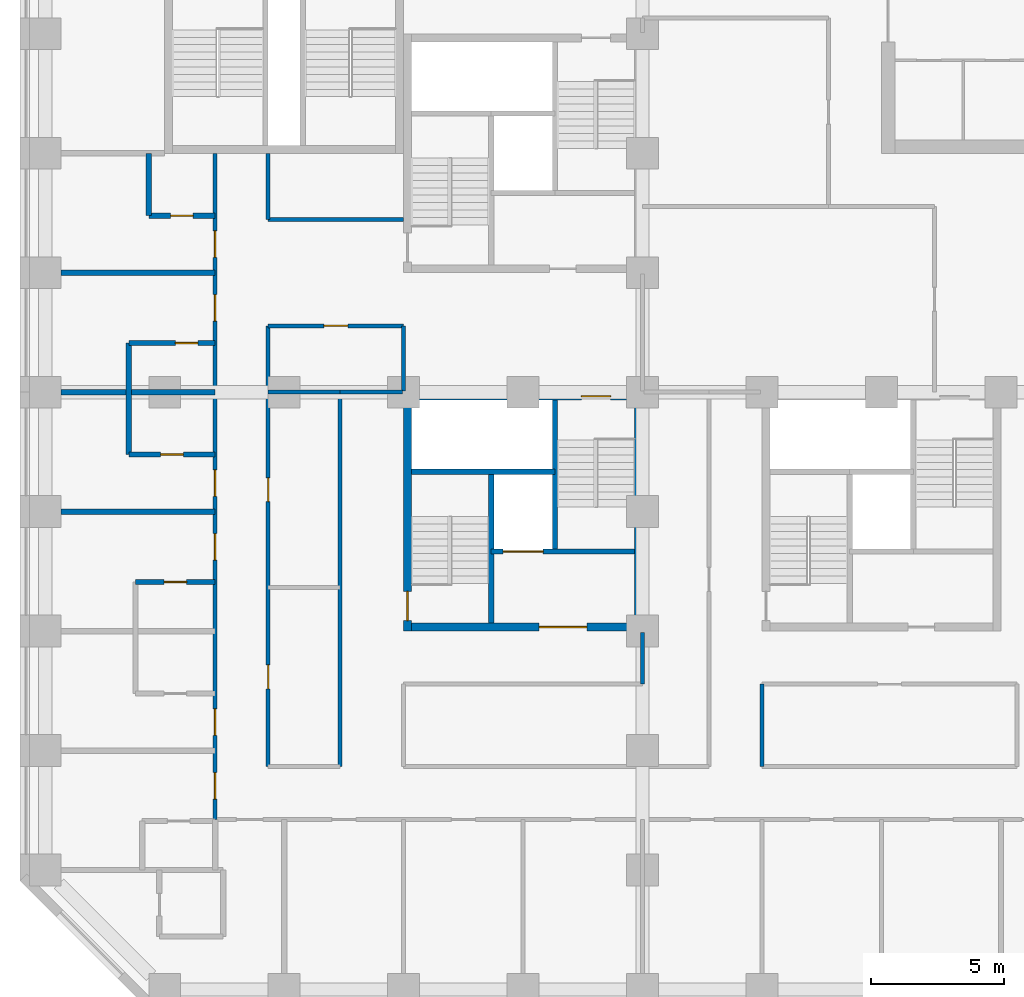
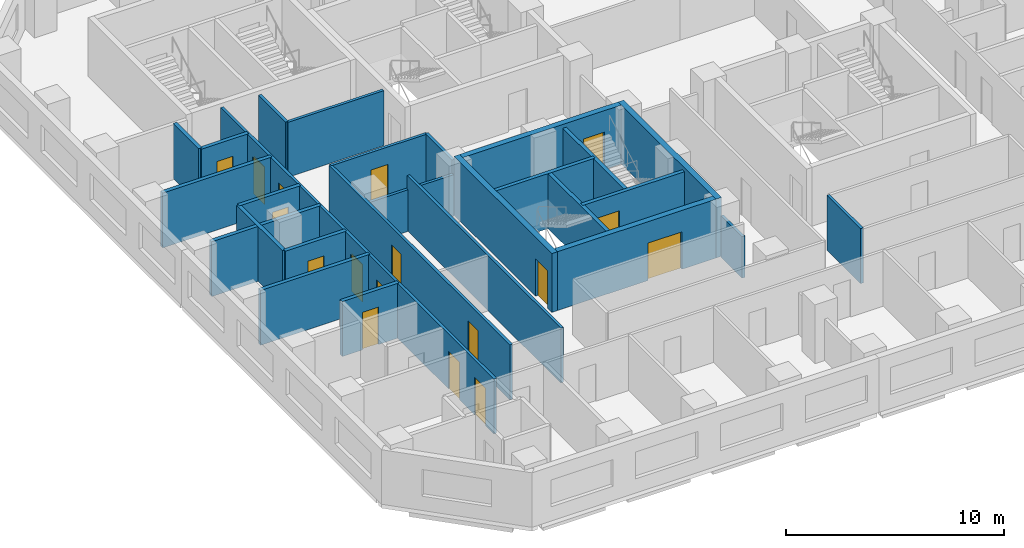
# One storey, part 4 of 14: 28 walls, 17 doors, 17 openings.
"""IFC4 building model written with IfcOpenShell, lengths in metres."""

from ifc_helpers import new_model, si_unit, direction, frame, frame_2d, origin, place, context, subcontext, project, spatial, rectangle, extrude, material, layer, layer_set, type_object, element, fill, save


model = new_model("IFC4")

# Units and contexts
model_context = context("Model", 3, precision=1e-05, world=origin(), true_north=direction((0.0, 1.0)))
body_context = subcontext(model_context, "Body", "Model", "MODEL_VIEW")
ifc_project = project(units=[si_unit("LENGTHUNIT", "METRE"), si_unit("AREAUNIT", "SQUARE_METRE"), si_unit("VOLUMEUNIT", "CUBIC_METRE"), si_unit("PLANEANGLEUNIT", "RADIAN"), si_unit("MASSUNIT", "GRAM", prefix="KILO")], contexts=[model_context])

# Site, building, storey
site_placement = place(None, origin())
site = spatial("IfcSite", under=ifc_project, at=site_placement, CompositionType="ELEMENT")
building_placement = place(site_placement, origin())
building = spatial("IfcBuilding", under=site, at=building_placement, Name="Quoin Convention Tower", CompositionType="ELEMENT")
storey_placement = place(building_placement, frame((0.0, 0.0, 66.0)))
storey = spatial("IfcBuildingStorey", under=building, at=storey_placement, Name="L17", CompositionType="ELEMENT", Elevation=66.0)

# Wall, opening, door
ifc_material_1 = material(Name="Concrete C50", Category="concrete")
ifc_layer_1 = layer(ifc_material_1, 0.199951171875)
ifc_layer_set_1 = layer_set([ifc_layer_1], Name="Concrete C50")
wall_type_1 = type_object("IfcWallType", Name="Core shaft wall", PredefinedType="SOLIDWALL", material=ifc_layer_set_1)
wall_1_placement = place(storey_placement, frame((30.300048828125, 34.5, 0.0), z_axis=(0.0, 0.0, 1.0), x_axis=(1.0, 0.0, 0.0)))
wall_1 = element("IfcWall", 1, at=wall_1_placement, inside=storey, type_object=wall_type_1, Name="cr-P4-L17-h3000_3300", PredefinedType="SOLIDWALL", context=body_context, shape_type="SweptSolid", body=[
    extrude(rectangle(XDim=5.39990234375, YDim=0.199951171875, at=frame_2d((2.699951171875, 0.0))), origin(), (0.0, 0.0, 1.0), 3.080078125),
])
opening_1_placement = place(wall_1_placement, frame((0.449951171875, 0.0, 0.0)))
opening_1 = element("IfcOpeningElement", 2, at=opening_1_placement, cuts=wall_1, Name="Opening LDGL1", PredefinedType="OPENING", context=body_context, shape_type="SweptSolid", body=[
    extrude(rectangle(XDim=1.5, YDim=2.10009765625, at=frame_2d((0.75, 1.050048828125))), frame((0.0, 0.10986328125, 0.0), z_axis=(0.0, -1.0, 0.0), x_axis=(1.0, 0.0, 0.0)), (0.0, 0.0, 1.0), 0.219970703125),
])
ifc_material_2 = material(Name="Steel door leaf", Category="steel")
door_type_1 = type_object("IfcDoorType", Name="Lift landing door 1500 x 2100", OperationType="DOUBLE_DOOR_SLIDING", PredefinedType="DOOR", material=ifc_material_2)
door_1_placement = place(opening_1_placement, origin())
door_1 = element("IfcDoor", 3, at=door_1_placement, inside=storey, type_object=door_type_1, Name="cd-P4-L17-CEN-R2-LDGL1", OperationType="DOUBLE_DOOR_SLIDING", OverallHeight=2.10009765625, OverallWidth=1.5, PredefinedType="DOOR", context=body_context, shape_type="SweptSolid", body=[
    extrude(rectangle(XDim=1.5, YDim=2.10009765625, at=frame_2d((0.75, 1.050048828125))), frame((0.0, 0.02490234375, 0.0), z_axis=(0.0, -1.0, 0.0), x_axis=(1.0, 0.0, 0.0)), (0.0, 0.0, 1.0), 0.050048828125),
])
fill(opening_1, door_1)

# Walls
wall_2_placement = place(storey_placement, frame((27.300048828125, 37.5, 0.0), z_axis=(0.0, 0.0, 1.0), x_axis=(1.0, 0.0, 0.0)))
element("IfcWall", 4, at=wall_2_placement, inside=storey, type_object=wall_type_1, Name="cr-P4-L17-h6000_300", PredefinedType="SOLIDWALL", context=body_context, shape_type="SweptSolid", body=[
    extrude(rectangle(XDim=5.39990234375, YDim=0.199951171875, at=frame_2d((2.699951171875, 0.0))), origin(), (0.0, 0.0, 1.0), 3.080078125),
])
for number, where, z_axis, x_axis, name in (
    (5, (30.300048828125, 31.800048828125, 0.0), (0.0, 0.0, 1.0), (0.0, 1.0, 0.0), "cr-P4-L17-v3300_300"),
    (6, (32.699951171875, 34.5, 0.0), (0.0, 0.0, 1.0), (0.0, 1.0, 0.0), "cr-P4-L17-v5700_3000"),
):
    element("IfcWall", number, at=place(storey_placement, frame(where, z_axis=z_axis, x_axis=x_axis)), inside=storey, type_object=wall_type_1, Name=name, PredefinedType="SOLIDWALL", context=body_context, shape_type="SweptSolid", body=[
        extrude(rectangle(XDim=5.699951171875, YDim=0.199951171875, at=frame_2d((2.85009765625, 0.0))), origin(), (0.0, 0.0, 1.0), 3.080078125),
    ])

# Wall, opening, door
ifc_material_3 = material(Name="Concrete C80", Category="concrete")
ifc_layer_2 = layer(ifc_material_3, 0.300048828125)
ifc_layer_set_2 = layer_set([ifc_layer_2], Name="Concrete C80")
wall_type_2 = type_object("IfcWallType", Name="RC CORE WALL 300 C80", PredefinedType="SHEAR", material=ifc_layer_set_2)
wall_3_placement = place(storey_placement, frame((27.300048828125, 31.64990234375, 0.0), z_axis=(0.0, 0.0, 1.0), x_axis=(1.0, 0.0, 0.0)))
wall_3 = element("IfcWall", 7, at=wall_3_placement, inside=storey, type_object=wall_type_2, Name="cwl-P4-L17-S", PredefinedType="SHEAR", context=body_context, shape_type="SweptSolid", body=[
    extrude(rectangle(XDim=8.39990234375, YDim=0.300048828125, at=frame_2d((4.199951171875, 0.0))), origin(), (0.0, 0.0, 1.0), 3.300048828125),
])
opening_2_placement = place(wall_3_placement, frame((4.800048828125, 0.0, 0.0)))
opening_2 = element("IfcOpeningElement", 8, at=opening_2_placement, cuts=wall_3, Name="Opening DCV0-62", PredefinedType="OPENING", context=body_context, shape_type="SweptSolid", body=[
    extrude(rectangle(XDim=1.800048828125, YDim=2.10009765625, at=frame_2d((0.89990234375, 1.050048828125))), frame((0.0, 0.159912109375, 0.0), z_axis=(0.0, -1.0, 0.0), x_axis=(1.0, 0.0, 0.0)), (0.0, 0.0, 1.0), 0.320068359375),
])
door_type_2 = type_object("IfcDoorType", Name="Goods lobby door 1800 x 2100", OperationType="SINGLE_SWING_LEFT", PredefinedType="DOOR", material=ifc_material_2)
door_2_placement = place(opening_2_placement, origin())
door_2 = element("IfcDoor", 9, at=door_2_placement, inside=storey, type_object=door_type_2, Name="cd-P4-L17-R2-S", OperationType="SINGLE_SWING_LEFT", OverallHeight=2.10009765625, OverallWidth=1.800048828125, PredefinedType="DOOR", context=body_context, shape_type="SweptSolid", body=[
    extrude(rectangle(XDim=1.800048828125, YDim=2.10009765625, at=frame_2d((0.89990234375, 1.050048828125))), frame((0.0, 0.02490234375, 0.0), z_axis=(0.0, -1.0, 0.0), x_axis=(1.0, 0.0, 0.0)), (0.0, 0.0, 1.0), 0.050048828125),
])
fill(opening_2, door_2)

wall_4_placement = place(storey_placement, frame((27.300048828125, 40.35009765625, 0.0), z_axis=(0.0, 0.0, 1.0), x_axis=(1.0, 0.0, 0.0)))
wall_4 = element("IfcWall", 10, at=wall_4_placement, inside=storey, type_object=wall_type_2, Name="cwl-P4-L17-N", PredefinedType="SHEAR", context=body_context, shape_type="SweptSolid", body=[
    extrude(rectangle(XDim=8.39990234375, YDim=0.300048828125, at=frame_2d((4.199951171875, 0.0))), origin(), (0.0, 0.0, 1.0), 3.300048828125),
])
opening_3_placement = place(wall_4_placement, frame((6.39990234375, 0.0, 0.0)))
opening_3 = element("IfcOpeningElement", 11, at=opening_3_placement, cuts=wall_4, Name="Opening SD8", PredefinedType="OPENING", context=body_context, shape_type="SweptSolid", body=[
    extrude(rectangle(XDim=1.10009765625, YDim=2.10009765625, at=frame_2d((0.550048828125, 1.050048828125))), frame((0.0, 0.159912109375, 0.0), z_axis=(0.0, -1.0, 0.0), x_axis=(1.0, 0.0, 0.0)), (0.0, 0.0, 1.0), 0.320068359375),
])
door_type_3 = type_object("IfcDoorType", Name="Stair door 1100 x 2100", OperationType="SINGLE_SWING_RIGHT", PredefinedType="DOOR", material=ifc_material_2)
door_3_placement = place(opening_3_placement, frame((1.10009765625, 0.0, 0.0), z_axis=(0.0, 0.0, 1.0), x_axis=(-1.0, 0.0, 0.0)))
door_3 = element("IfcDoor", 12, at=door_3_placement, inside=storey, type_object=door_type_3, Name="cd-P4-L17-SB-N", OperationType="SINGLE_SWING_LEFT", OverallHeight=2.10009765625, OverallWidth=1.10009765625, PredefinedType="DOOR", context=body_context, shape_type="SweptSolid", body=[
    extrude(rectangle(XDim=1.10009765625, YDim=2.10009765625, at=frame_2d((0.550048828125, 1.050048828125))), frame((0.0, 0.02490234375, 0.0), z_axis=(0.0, -1.0, 0.0), x_axis=(1.0, 0.0, 0.0)), (0.0, 0.0, 1.0), 0.050048828125),
])
fill(opening_3, door_3)

wall_5_placement = place(storey_placement, frame((27.14990234375, 31.5, 0.0), z_axis=(0.0, 0.0, 1.0), x_axis=(0.0, 1.0, 0.0)))
wall_5 = element("IfcWall", 13, at=wall_5_placement, inside=storey, type_object=wall_type_2, Name="cwl-P4-L17-W", PredefinedType="SHEAR", context=body_context, shape_type="SweptSolid", body=[
    extrude(rectangle(XDim=9.0, YDim=0.300048828125, at=frame_2d((4.5, 0.0))), origin(), (0.0, 0.0, 1.0), 3.300048828125),
])
opening_4_placement = place(wall_5_placement, frame((0.39990234375, 0.0, 0.0)))
opening_4 = element("IfcOpeningElement", 14, at=opening_4_placement, cuts=wall_5, Name="Opening SD7", PredefinedType="OPENING", context=body_context, shape_type="SweptSolid", body=[
    extrude(rectangle(XDim=1.10009765625, YDim=2.10009765625, at=frame_2d((0.550048828125, 1.050048828125))), frame((0.0, 0.159912109375, 0.0), z_axis=(0.0, -1.0, 0.0), x_axis=(1.0, 0.0, 0.0)), (0.0, 0.0, 1.0), 0.320068359375),
])
door_4_placement = place(opening_4_placement, frame((1.10009765625, 0.0, 0.0), z_axis=(0.0, 0.0, 1.0), x_axis=(-1.0, 0.0, 0.0)))
door_4 = element("IfcDoor", 15, at=door_4_placement, inside=storey, type_object=door_type_3, Name="cd-P4-L17-SA-W", OperationType="SINGLE_SWING_RIGHT", OverallHeight=2.10009765625, OverallWidth=1.10009765625, PredefinedType="DOOR", context=body_context, shape_type="SweptSolid", body=[
    extrude(rectangle(XDim=1.10009765625, YDim=2.10009765625, at=frame_2d((0.550048828125, 1.050048828125))), frame((0.0, 0.02490234375, 0.0), z_axis=(0.0, -1.0, 0.0), x_axis=(1.0, 0.0, 0.0)), (0.0, 0.0, 1.0), 0.050048828125),
])
fill(opening_4, door_4)

# Wall
wall_6_placement = place(storey_placement, frame((35.85009765625, 31.5, 0.0), z_axis=(0.0, 0.0, 1.0), x_axis=(0.0, 1.0, 0.0)))
element("IfcWall", 16, at=wall_6_placement, inside=storey, type_object=wall_type_2, Name="cwl-P4-L17-E", PredefinedType="SHEAR", context=body_context, shape_type="SweptSolid", body=[
    extrude(rectangle(XDim=9.0, YDim=0.300048828125, at=frame_2d((4.5, 0.0))), origin(), (0.0, 0.0, 1.0), 3.300048828125),
])

# Wall, opening, door
ifc_layer_3 = layer(ifc_material_1, 0.199951171875)
ifc_layer_set_3 = layer_set([ifc_layer_3], Name="Concrete C50")
wall_type_3 = type_object("IfcWallType", Name="RC party wall", PredefinedType="SOLIDWALL", material=ifc_layer_set_3)
wall_7_placement = place(storey_placement, frame((16.89990234375, 33.35009765625, 0.0), z_axis=(0.0, 0.0, 1.0), x_axis=(1.0, 0.0, 0.0)))
wall_7 = element("IfcWall", 17, at=wall_7_placement, inside=storey, type_object=wall_type_3, Name="pw-L17-064", PredefinedType="SOLIDWALL", context=body_context, shape_type="SweptSolid", body=[
    extrude(rectangle(XDim=3.0, YDim=0.199951171875, at=frame_2d((1.5, 0.0))), origin(), (0.0, 0.0, 1.0), 3.080078125),
])
opening_5_placement = place(wall_7_placement, frame((1.074951171875, 0.0, 0.0)))
opening_5 = element("IfcOpeningElement", 18, at=opening_5_placement, cuts=wall_7, Name="Opening DHOTEL-G-53", PredefinedType="OPENING", context=body_context, shape_type="SweptSolid", body=[
    extrude(rectangle(XDim=0.85009765625, YDim=2.10009765625, at=frame_2d((0.425048828125, 1.050048828125))), frame((0.0, 0.10986328125, 0.0), z_axis=(0.0, -1.0, 0.0), x_axis=(1.0, 0.0, 0.0)), (0.0, 0.0, 1.0), 0.219970703125),
])
door_type_4 = type_object("IfcDoorType", Name="Bathroom door", OperationType="SINGLE_SWING_LEFT", PredefinedType="DOOR", material=ifc_material_2)
door_5_placement = place(opening_5_placement, origin())
door_5 = element("IfcDoor", 19, at=door_5_placement, inside=storey, type_object=door_type_4, Name="dr-L17-012", OperationType="SINGLE_SWING_RIGHT", OverallHeight=2.10009765625, OverallWidth=0.85009765625, PredefinedType="DOOR", context=body_context, shape_type="SweptSolid", body=[
    extrude(rectangle(XDim=0.85009765625, YDim=2.10009765625, at=frame_2d((0.425048828125, 1.050048828125))), frame((0.0, 0.02490234375, 0.0), z_axis=(0.0, -1.0, 0.0), x_axis=(1.0, 0.0, 0.0)), (0.0, 0.0, 1.0), 0.050048828125),
])
fill(opening_5, door_5)

# Wall
wall_8_placement = place(storey_placement, frame((14.10009765625, 36.0, 0.0), z_axis=(0.0, 0.0, 1.0), x_axis=(1.0, 0.0, 0.0)))
element("IfcWall", 20, at=wall_8_placement, inside=storey, type_object=wall_type_3, Name="pw-L17-066", PredefinedType="SOLIDWALL", context=body_context, shape_type="SweptSolid", body=[
    extrude(rectangle(XDim=5.7998046875, YDim=0.199951171875, at=frame_2d((2.89990234375, 0.0))), origin(), (0.0, 0.0, 1.0), 3.080078125),
])

# Wall, opening, door
wall_9_placement = place(storey_placement, frame((16.64990234375, 38.14990234375, 0.0), z_axis=(0.0, 0.0, 1.0), x_axis=(1.0, 0.0, 0.0)))
wall_9 = element("IfcWall", 21, at=wall_9_placement, inside=storey, type_object=wall_type_3, Name="pw-L17-068", PredefinedType="SOLIDWALL", context=body_context, shape_type="SweptSolid", body=[
    extrude(rectangle(XDim=3.25, YDim=0.199951171875, at=frame_2d((1.625, 0.0))), origin(), (0.0, 0.0, 1.0), 3.080078125),
])
opening_6_placement = place(wall_9_placement, frame((1.199951171875, 0.0, 0.0)))
opening_6 = element("IfcOpeningElement", 22, at=opening_6_placement, cuts=wall_9, Name="Opening DHOTEL-G-55", PredefinedType="OPENING", context=body_context, shape_type="SweptSolid", body=[
    extrude(rectangle(XDim=0.85009765625, YDim=2.10009765625, at=frame_2d((0.425048828125, 1.050048828125))), frame((0.0, 0.10986328125, 0.0), z_axis=(0.0, -1.0, 0.0), x_axis=(1.0, 0.0, 0.0)), (0.0, 0.0, 1.0), 0.219970703125),
])
door_6_placement = place(opening_6_placement, frame((0.85009765625, 0.0, 0.0), z_axis=(0.0, 0.0, 1.0), x_axis=(-1.0, 0.0, 0.0)))
door_6 = element("IfcDoor", 23, at=door_6_placement, inside=storey, type_object=door_type_4, Name="dr-L17-014", OperationType="SINGLE_SWING_LEFT", OverallHeight=2.10009765625, OverallWidth=0.85009765625, PredefinedType="DOOR", context=body_context, shape_type="SweptSolid", body=[
    extrude(rectangle(XDim=0.85009765625, YDim=2.10009765625, at=frame_2d((0.425048828125, 1.050048828125))), frame((0.0, 0.02490234375, 0.0), z_axis=(0.0, -1.0, 0.0), x_axis=(1.0, 0.0, 0.0)), (0.0, 0.0, 1.0), 0.050048828125),
])
fill(opening_6, door_6)

# Walls
wall_10_placement = place(storey_placement, frame((16.64990234375, 38.14990234375, 0.0), z_axis=(0.0, 0.0, 1.0), x_axis=(0.0, 1.0, 0.0)))
element("IfcWall", 24, at=wall_10_placement, inside=storey, type_object=wall_type_3, Name="pw-L17-069", PredefinedType="SOLIDWALL", context=body_context, shape_type="SweptSolid", body=[
    extrude(rectangle(XDim=4.2001953125, YDim=0.199951171875, at=frame_2d((2.10009765625, 0.0))), origin(), (0.0, 0.0, 1.0), 3.080078125),
])
wall_11_placement = place(storey_placement, frame((14.10009765625, 40.5, 0.0), z_axis=(0.0, 0.0, 1.0), x_axis=(1.0, 0.0, 0.0)))
element("IfcWall", 25, at=wall_11_placement, inside=storey, type_object=wall_type_3, Name="pw-L17-072", PredefinedType="SOLIDWALL", context=body_context, shape_type="SweptSolid", body=[
    extrude(rectangle(XDim=5.7998046875, YDim=0.199951171875, at=frame_2d((2.89990234375, 0.0))), origin(), (0.0, 0.0, 1.0), 3.080078125),
])

# Wall, opening, door
wall_12_placement = place(storey_placement, frame((16.64990234375, 42.35009765625, 0.0), z_axis=(0.0, 0.0, 1.0), x_axis=(1.0, 0.0, 0.0)))
wall_12 = element("IfcWall", 26, at=wall_12_placement, inside=storey, type_object=wall_type_3, Name="pw-L17-074", PredefinedType="SOLIDWALL", context=body_context, shape_type="SweptSolid", body=[
    extrude(rectangle(XDim=3.25, YDim=0.199951171875, at=frame_2d((1.625, 0.0))), origin(), (0.0, 0.0, 1.0), 3.080078125),
])
opening_7_placement = place(wall_12_placement, frame((1.75, 0.0, 0.0)))
opening_7 = element("IfcOpeningElement", 27, at=opening_7_placement, cuts=wall_12, Name="Opening DHOTEL-G-57", PredefinedType="OPENING", context=body_context, shape_type="SweptSolid", body=[
    extrude(rectangle(XDim=0.85009765625, YDim=2.10009765625, at=frame_2d((0.425048828125, 1.050048828125))), frame((0.0, 0.10986328125, 0.0), z_axis=(0.0, -1.0, 0.0), x_axis=(1.0, 0.0, 0.0)), (0.0, 0.0, 1.0), 0.219970703125),
])
door_7_placement = place(opening_7_placement, origin())
door_7 = element("IfcDoor", 28, at=door_7_placement, inside=storey, type_object=door_type_4, Name="dr-L17-016", OperationType="SINGLE_SWING_RIGHT", OverallHeight=2.10009765625, OverallWidth=0.85009765625, PredefinedType="DOOR", context=body_context, shape_type="SweptSolid", body=[
    extrude(rectangle(XDim=0.85009765625, YDim=2.10009765625, at=frame_2d((0.425048828125, 1.050048828125))), frame((0.0, 0.02490234375, 0.0), z_axis=(0.0, -1.0, 0.0), x_axis=(1.0, 0.0, 0.0)), (0.0, 0.0, 1.0), 0.050048828125),
])
fill(opening_7, door_7)

# Wall
wall_13_placement = place(storey_placement, frame((14.10009765625, 45.0, 0.0), z_axis=(0.0, 0.0, 1.0), x_axis=(1.0, 0.0, 0.0)))
element("IfcWall", 29, at=wall_13_placement, inside=storey, type_object=wall_type_3, Name="pw-L17-080", PredefinedType="SOLIDWALL", context=body_context, shape_type="SweptSolid", body=[
    extrude(rectangle(XDim=5.7998046875, YDim=0.199951171875, at=frame_2d((2.89990234375, 0.0))), origin(), (0.0, 0.0, 1.0), 3.080078125),
])

# Wall, opening, door
wall_14_placement = place(storey_placement, frame((17.39990234375, 47.14990234375, 0.0), z_axis=(0.0, 0.0, 1.0), x_axis=(1.0, 0.0, 0.0)))
wall_14 = element("IfcWall", 30, at=wall_14_placement, inside=storey, type_object=wall_type_3, Name="pw-L17-084", PredefinedType="SOLIDWALL", context=body_context, shape_type="SweptSolid", body=[
    extrude(rectangle(XDim=2.5, YDim=0.199951171875, at=frame_2d((1.25, 0.0))), origin(), (0.0, 0.0, 1.0), 3.080078125),
])
opening_8_placement = place(wall_14_placement, frame((0.824951171875, 0.0, 0.0)))
opening_8 = element("IfcOpeningElement", 31, at=opening_8_placement, cuts=wall_14, Name="Opening DHOTEL-G-60", PredefinedType="OPENING", context=body_context, shape_type="SweptSolid", body=[
    extrude(rectangle(XDim=0.85009765625, YDim=2.10009765625, at=frame_2d((0.425048828125, 1.050048828125))), frame((0.0, 0.10986328125, 0.0), z_axis=(0.0, -1.0, 0.0), x_axis=(1.0, 0.0, 0.0)), (0.0, 0.0, 1.0), 0.219970703125),
])
door_8_placement = place(opening_8_placement, origin())
door_8 = element("IfcDoor", 32, at=door_8_placement, inside=storey, type_object=door_type_4, Name="dr-L17-018", OperationType="SINGLE_SWING_RIGHT", OverallHeight=2.10009765625, OverallWidth=0.85009765625, PredefinedType="DOOR", context=body_context, shape_type="SweptSolid", body=[
    extrude(rectangle(XDim=0.85009765625, YDim=2.10009765625, at=frame_2d((0.425048828125, 1.050048828125))), frame((0.0, 0.02490234375, 0.0), z_axis=(0.0, -1.0, 0.0), x_axis=(1.0, 0.0, 0.0)), (0.0, 0.0, 1.0), 0.050048828125),
])
fill(opening_8, door_8)

# Wall
wall_15_placement = place(storey_placement, frame((17.39990234375, 47.14990234375, 0.0), z_axis=(0.0, 0.0, 1.0), x_axis=(0.0, 1.0, 0.0)))
element("IfcWall", 33, at=wall_15_placement, inside=storey, type_object=wall_type_3, Name="pw-L17-085", PredefinedType="SOLIDWALL", context=body_context, shape_type="SweptSolid", body=[
    extrude(rectangle(XDim=2.35009765625, YDim=0.199951171875, at=frame_2d((1.175048828125, 0.0))), origin(), (0.0, 0.0, 1.0), 3.080078125),
])

# Wall, openings, doors
ifc_material_4 = material(Name="Plasterboard")
ifc_layer_4 = layer(ifc_material_4, 0.012451171875, Name="Finish")
ifc_material_5 = material(Name="Steel stud framing", Category="steel")
ifc_layer_5 = layer(ifc_material_5, 0.125, Name="Structure")
ifc_layer_6 = layer(ifc_material_4, 0.012451171875, Name="Finish")
ifc_layer_set_4 = layer_set([ifc_layer_4, ifc_layer_5, ifc_layer_6], Name="Steel stud framing")
wall_type_4 = type_object("IfcWallType", Name="corridor partition", PredefinedType="PARTITIONING", material=ifc_layer_set_4)
wall_16_placement = place(storey_placement, frame((19.89990234375, 24.39990234375, 0.0), z_axis=(0.0, 0.0, 1.0), x_axis=(0.0, 1.0, 0.0)))
wall_16 = element("IfcWall", 34, at=wall_16_placement, inside=storey, type_object=wall_type_4, Name="pw-L17-006", PredefinedType="PARTITIONING", context=body_context, shape_type="SweptSolid", body=[
    extrude(rectangle(XDim=25.10009765625, YDim=0.14990234375, at=frame_2d((12.550048828125, 0.0))), origin(), (0.0, 0.0, 1.0), 3.080078125),
])
opening_9_placement = place(wall_16_placement, frame((0.77490234375, 0.0, 0.0)))
opening_9 = element("IfcOpeningElement", 35, at=opening_9_placement, cuts=wall_16, Name="Opening DHOTEL-G-09", PredefinedType="OPENING", context=body_context, shape_type="SweptSolid", body=[
    extrude(rectangle(XDim=1.0, YDim=2.10009765625, at=frame_2d((0.5, 1.050048828125))), frame((0.0, 0.0849609375, 0.0), z_axis=(0.0, -1.0, 0.0), x_axis=(1.0, 0.0, 0.0)), (0.0, 0.0, 1.0), 0.169921875),
])
opening_10_placement = place(wall_16_placement, frame((3.175048828125, 0.0, 0.0)))
opening_10 = element("IfcOpeningElement", 36, at=opening_10_placement, cuts=wall_16, Name="Opening DHOTEL-G-10", PredefinedType="OPENING", context=body_context, shape_type="SweptSolid", body=[
    extrude(rectangle(XDim=1.0, YDim=2.10009765625, at=frame_2d((0.5, 1.050048828125))), frame((0.0, 0.0849609375, 0.0), z_axis=(0.0, -1.0, 0.0), x_axis=(1.0, 0.0, 0.0)), (0.0, 0.0, 1.0), 0.169921875),
])
opening_11_placement = place(wall_16_placement, frame((9.77490234375, 0.0, 0.0)))
opening_11 = element("IfcOpeningElement", 37, at=opening_11_placement, cuts=wall_16, Name="Opening DHOTEL-G-11", PredefinedType="OPENING", context=body_context, shape_type="SweptSolid", body=[
    extrude(rectangle(XDim=1.0, YDim=2.10009765625, at=frame_2d((0.5, 1.050048828125))), frame((0.0, 0.0849609375, 0.0), z_axis=(0.0, -1.0, 0.0), x_axis=(1.0, 0.0, 0.0)), (0.0, 0.0, 1.0), 0.169921875),
])
opening_12_placement = place(wall_16_placement, frame((12.175048828125, 0.0, 0.0)))
opening_12 = element("IfcOpeningElement", 38, at=opening_12_placement, cuts=wall_16, Name="Opening DHOTEL-G-12", PredefinedType="OPENING", context=body_context, shape_type="SweptSolid", body=[
    extrude(rectangle(XDim=1.0, YDim=2.10009765625, at=frame_2d((0.5, 1.050048828125))), frame((0.0, 0.0849609375, 0.0), z_axis=(0.0, -1.0, 0.0), x_axis=(1.0, 0.0, 0.0)), (0.0, 0.0, 1.0), 0.169921875),
])
opening_13_placement = place(wall_16_placement, frame((18.77490234375, 0.0, 0.0)))
opening_13 = element("IfcOpeningElement", 39, at=opening_13_placement, cuts=wall_16, Name="Opening DHOTEL-G-13", PredefinedType="OPENING", context=body_context, shape_type="SweptSolid", body=[
    extrude(rectangle(XDim=1.0, YDim=2.10009765625, at=frame_2d((0.5, 1.050048828125))), frame((0.0, 0.0849609375, 0.0), z_axis=(0.0, -1.0, 0.0), x_axis=(1.0, 0.0, 0.0)), (0.0, 0.0, 1.0), 0.169921875),
])
opening_14_placement = place(wall_16_placement, frame((21.175048828125, 0.0, 0.0)))
opening_14 = element("IfcOpeningElement", 40, at=opening_14_placement, cuts=wall_16, Name="Opening DHOTEL-G-14", PredefinedType="OPENING", context=body_context, shape_type="SweptSolid", body=[
    extrude(rectangle(XDim=1.0, YDim=2.10009765625, at=frame_2d((0.5, 1.050048828125))), frame((0.0, 0.0849609375, 0.0), z_axis=(0.0, -1.0, 0.0), x_axis=(1.0, 0.0, 0.0)), (0.0, 0.0, 1.0), 0.169921875),
])
door_type_5 = type_object("IfcDoorType", Name="Hotel room door", OperationType="SINGLE_SWING_LEFT", PredefinedType="DOOR", material=ifc_material_2)
door_9_placement = place(opening_9_placement, origin())
door_9 = element("IfcDoor", 41, at=door_9_placement, inside=storey, type_object=door_type_5, Name="dr-L17-007", OperationType="SINGLE_SWING_RIGHT", OverallHeight=2.10009765625, OverallWidth=1.0, PredefinedType="DOOR", context=body_context, shape_type="SweptSolid", body=[
    extrude(rectangle(XDim=1.0, YDim=2.10009765625, at=frame_2d((0.5, 1.050048828125))), frame((0.0, 0.02490234375, 0.0), z_axis=(0.0, -1.0, 0.0), x_axis=(1.0, 0.0, 0.0)), (0.0, 0.0, 1.0), 0.050048828125),
])
fill(opening_9, door_9)
door_10_placement = place(opening_10_placement, origin())
door_10 = element("IfcDoor", 42, at=door_10_placement, inside=storey, type_object=door_type_5, Name="dr-L17-009", OperationType="SINGLE_SWING_RIGHT", OverallHeight=2.10009765625, OverallWidth=1.0, PredefinedType="DOOR", context=body_context, shape_type="SweptSolid", body=[
    extrude(rectangle(XDim=1.0, YDim=2.10009765625, at=frame_2d((0.5, 1.050048828125))), frame((0.0, 0.02490234375, 0.0), z_axis=(0.0, -1.0, 0.0), x_axis=(1.0, 0.0, 0.0)), (0.0, 0.0, 1.0), 0.050048828125),
])
fill(opening_10, door_10)
door_11_placement = place(opening_11_placement, origin())
door_11 = element("IfcDoor", 43, at=door_11_placement, inside=storey, type_object=door_type_5, Name="dr-L17-011", OperationType="SINGLE_SWING_RIGHT", OverallHeight=2.10009765625, OverallWidth=1.0, PredefinedType="DOOR", context=body_context, shape_type="SweptSolid", body=[
    extrude(rectangle(XDim=1.0, YDim=2.10009765625, at=frame_2d((0.5, 1.050048828125))), frame((0.0, 0.02490234375, 0.0), z_axis=(0.0, -1.0, 0.0), x_axis=(1.0, 0.0, 0.0)), (0.0, 0.0, 1.0), 0.050048828125),
])
fill(opening_11, door_11)
door_12_placement = place(opening_12_placement, origin())
door_12 = element("IfcDoor", 44, at=door_12_placement, inside=storey, type_object=door_type_5, Name="dr-L17-013", OperationType="SINGLE_SWING_RIGHT", OverallHeight=2.10009765625, OverallWidth=1.0, PredefinedType="DOOR", context=body_context, shape_type="SweptSolid", body=[
    extrude(rectangle(XDim=1.0, YDim=2.10009765625, at=frame_2d((0.5, 1.050048828125))), frame((0.0, 0.02490234375, 0.0), z_axis=(0.0, -1.0, 0.0), x_axis=(1.0, 0.0, 0.0)), (0.0, 0.0, 1.0), 0.050048828125),
])
fill(opening_12, door_12)
door_13_placement = place(opening_13_placement, origin())
door_13 = element("IfcDoor", 45, at=door_13_placement, inside=storey, type_object=door_type_5, Name="dr-L17-015", OperationType="SINGLE_SWING_RIGHT", OverallHeight=2.10009765625, OverallWidth=1.0, PredefinedType="DOOR", context=body_context, shape_type="SweptSolid", body=[
    extrude(rectangle(XDim=1.0, YDim=2.10009765625, at=frame_2d((0.5, 1.050048828125))), frame((0.0, 0.02490234375, 0.0), z_axis=(0.0, -1.0, 0.0), x_axis=(1.0, 0.0, 0.0)), (0.0, 0.0, 1.0), 0.050048828125),
])
fill(opening_13, door_13)
door_14_placement = place(opening_14_placement, origin())
door_14 = element("IfcDoor", 46, at=door_14_placement, inside=storey, type_object=door_type_5, Name="dr-L17-017", OperationType="SINGLE_SWING_RIGHT", OverallHeight=2.10009765625, OverallWidth=1.0, PredefinedType="DOOR", context=body_context, shape_type="SweptSolid", body=[
    extrude(rectangle(XDim=1.0, YDim=2.10009765625, at=frame_2d((0.5, 1.050048828125))), frame((0.0, 0.02490234375, 0.0), z_axis=(0.0, -1.0, 0.0), x_axis=(1.0, 0.0, 0.0)), (0.0, 0.0, 1.0), 0.050048828125),
])
fill(opening_14, door_14)

wall_17_placement = place(storey_placement, frame((21.89990234375, 26.39990234375, 0.0), z_axis=(0.0, 0.0, 1.0), x_axis=(0.0, 1.0, 0.0)))
wall_17 = element("IfcWall", 47, at=wall_17_placement, inside=storey, type_object=wall_type_4, Name="pw-L17-009", PredefinedType="PARTITIONING", context=body_context, shape_type="SweptSolid", body=[
    extrude(rectangle(XDim=16.60009765625, YDim=0.14990234375, at=frame_2d((8.300048828125, 0.0))), origin(), (0.0, 0.0, 1.0), 3.080078125),
])
opening_15_placement = place(wall_17_placement, frame((2.925048828125, 0.0, 0.0)))
opening_15 = element("IfcOpeningElement", 48, at=opening_15_placement, cuts=wall_17, Name="Opening DHOTEL-G-20", PredefinedType="OPENING", context=body_context, shape_type="SweptSolid", body=[
    extrude(rectangle(XDim=0.89990234375, YDim=2.10009765625, at=frame_2d((0.449951171875, 1.050048828125))), frame((0.0, 0.0849609375, 0.0), z_axis=(0.0, -1.0, 0.0), x_axis=(1.0, 0.0, 0.0)), (0.0, 0.0, 1.0), 0.169921875),
])
opening_16_placement = place(wall_17_placement, frame((9.97509765625, 0.0, 0.0)))
opening_16 = element("IfcOpeningElement", 49, at=opening_16_placement, cuts=wall_17, Name="Opening DHOTEL-G-21", PredefinedType="OPENING", context=body_context, shape_type="SweptSolid", body=[
    extrude(rectangle(XDim=0.89990234375, YDim=2.10009765625, at=frame_2d((0.449951171875, 1.050048828125))), frame((0.0, 0.0849609375, 0.0), z_axis=(0.0, -1.0, 0.0), x_axis=(1.0, 0.0, 0.0)), (0.0, 0.0, 1.0), 0.169921875),
])
door_type_6 = type_object("IfcDoorType", Name="Service room door", OperationType="SINGLE_SWING_LEFT", PredefinedType="DOOR", material=ifc_material_2)
door_15_placement = place(opening_15_placement, frame((0.89990234375, 0.0, 0.0), z_axis=(0.0, 0.0, 1.0), x_axis=(-1.0, 0.0, 0.0)))
door_15 = element("IfcDoor", 50, at=door_15_placement, inside=storey, type_object=door_type_6, Name="dr-L17-077", OperationType="SINGLE_SWING_LEFT", OverallHeight=2.10009765625, OverallWidth=0.89990234375, PredefinedType="DOOR", context=body_context, shape_type="SweptSolid", body=[
    extrude(rectangle(XDim=0.89990234375, YDim=2.10009765625, at=frame_2d((0.449951171875, 1.050048828125))), frame((0.0, 0.02490234375, 0.0), z_axis=(0.0, -1.0, 0.0), x_axis=(1.0, 0.0, 0.0)), (0.0, 0.0, 1.0), 0.050048828125),
])
fill(opening_15, door_15)
door_16_placement = place(opening_16_placement, frame((0.89990234375, 0.0, 0.0), z_axis=(0.0, 0.0, 1.0), x_axis=(-1.0, 0.0, 0.0)))
door_16 = element("IfcDoor", 51, at=door_16_placement, inside=storey, type_object=door_type_6, Name="dr-L17-078", OperationType="SINGLE_SWING_LEFT", OverallHeight=2.10009765625, OverallWidth=0.89990234375, PredefinedType="DOOR", context=body_context, shape_type="SweptSolid", body=[
    extrude(rectangle(XDim=0.89990234375, YDim=2.10009765625, at=frame_2d((0.449951171875, 1.050048828125))), frame((0.0, 0.02490234375, 0.0), z_axis=(0.0, -1.0, 0.0), x_axis=(1.0, 0.0, 0.0)), (0.0, 0.0, 1.0), 0.050048828125),
])
fill(opening_16, door_16)

# Walls
wall_18_placement = place(storey_placement, frame((24.60009765625, 26.39990234375, 0.0), z_axis=(0.0, 0.0, 1.0), x_axis=(0.0, 1.0, 0.0)))
element("IfcWall", 52, at=wall_18_placement, inside=storey, type_object=wall_type_4, Name="pw-L17-010", PredefinedType="PARTITIONING", context=body_context, shape_type="SweptSolid", body=[
    extrude(rectangle(XDim=14.10009765625, YDim=0.14990234375, at=frame_2d((7.050048828125, 0.0))), origin(), (0.0, 0.0, 1.0), 3.080078125),
])
wall_19_placement = place(storey_placement, frame((40.5, 26.39990234375, 0.0), z_axis=(0.0, 0.0, 1.0), x_axis=(0.0, 1.0, 0.0)))
element("IfcWall", 53, at=wall_19_placement, inside=storey, type_object=wall_type_4, Name="pw-L17-015", PredefinedType="PARTITIONING", context=body_context, shape_type="SweptSolid", body=[
    extrude(rectangle(XDim=3.10009765625, YDim=0.14990234375, at=frame_2d((1.550048828125, 0.0))), origin(), (0.0, 0.0, 1.0), 3.080078125),
])
wall_20_placement = place(storey_placement, frame((27.0, 40.550048828125, 0.0), z_axis=(0.0, 0.0, 1.0), x_axis=(0.0, 1.0, 0.0)))
element("IfcWall", 54, at=wall_20_placement, inside=storey, type_object=wall_type_4, Name="pw-L17-022", PredefinedType="PARTITIONING", context=body_context, shape_type="SweptSolid", body=[
    extrude(rectangle(XDim=2.449951171875, YDim=0.14990234375, at=frame_2d((1.22509765625, 0.0))), origin(), (0.0, 0.0, 1.0), 3.080078125),
])

# Wall, opening, door
wall_21_placement = place(storey_placement, frame((21.89990234375, 43.0, 0.0), z_axis=(0.0, 0.0, 1.0), x_axis=(1.0, 0.0, 0.0)))
wall_21 = element("IfcWall", 55, at=wall_21_placement, inside=storey, type_object=wall_type_4, Name="pw-L17-025", PredefinedType="PARTITIONING", context=body_context, shape_type="SweptSolid", body=[
    extrude(rectangle(XDim=5.10009765625, YDim=0.14990234375, at=frame_2d((2.550048828125, 0.0))), origin(), (0.0, 0.0, 1.0), 3.080078125),
])
opening_17_placement = place(wall_21_placement, frame((2.10009765625, 0.0, 0.0)))
opening_17 = element("IfcOpeningElement", 56, at=opening_17_placement, cuts=wall_21, Name="Opening DHOTEL-G-25", PredefinedType="OPENING", context=body_context, shape_type="SweptSolid", body=[
    extrude(rectangle(XDim=0.89990234375, YDim=2.10009765625, at=frame_2d((0.449951171875, 1.050048828125))), frame((0.0, 0.0849609375, 0.0), z_axis=(0.0, -1.0, 0.0), x_axis=(1.0, 0.0, 0.0)), (0.0, 0.0, 1.0), 0.169921875),
])
door_type_7 = type_object("IfcDoorType", Name="Toilet door", OperationType="SINGLE_SWING_LEFT", PredefinedType="DOOR", material=ifc_material_2)
door_17_placement = place(opening_17_placement, frame((0.89990234375, 0.0, 0.0), z_axis=(0.0, 0.0, 1.0), x_axis=(-1.0, 0.0, 0.0)))
door_17 = element("IfcDoor", 57, at=door_17_placement, inside=storey, type_object=door_type_7, Name="dr-L17-085", OperationType="SINGLE_SWING_LEFT", OverallHeight=2.10009765625, OverallWidth=0.89990234375, PredefinedType="DOOR", context=body_context, shape_type="SweptSolid", body=[
    extrude(rectangle(XDim=0.89990234375, YDim=2.10009765625, at=frame_2d((0.449951171875, 1.050048828125))), frame((0.0, 0.02490234375, 0.0), z_axis=(0.0, -1.0, 0.0), x_axis=(1.0, 0.0, 0.0)), (0.0, 0.0, 1.0), 0.050048828125),
])
fill(opening_17, door_17)

# Walls
wall_22_placement = place(storey_placement, frame((21.89990234375, 47.0, 0.0), z_axis=(0.0, 0.0, 1.0), x_axis=(1.0, 0.0, 0.0)))
element("IfcWall", 58, at=wall_22_placement, inside=storey, type_object=wall_type_4, Name="pw-L17-026", PredefinedType="PARTITIONING", context=body_context, shape_type="SweptSolid", body=[
    extrude(rectangle(XDim=5.10009765625, YDim=0.14990234375, at=frame_2d((2.550048828125, 0.0))), origin(), (0.0, 0.0, 1.0), 3.080078125),
])
wall_23_placement = place(storey_placement, frame((21.89990234375, 47.0, 0.0), z_axis=(0.0, 0.0, 1.0), x_axis=(0.0, 1.0, 0.0)))
element("IfcWall", 59, at=wall_23_placement, inside=storey, type_object=wall_type_4, Name="pw-L17-027", PredefinedType="PARTITIONING", context=body_context, shape_type="SweptSolid", body=[
    extrude(rectangle(XDim=2.5, YDim=0.14990234375, at=frame_2d((1.25, 0.0))), origin(), (0.0, 0.0, 1.0), 3.080078125),
])
ifc_layer_7 = layer(ifc_material_4, 0.012451171875, Name="Finish")
ifc_layer_8 = layer(ifc_material_5, 0.125, Name="Structure")
ifc_layer_9 = layer(ifc_material_4, 0.012451171875, Name="Finish")
ifc_layer_set_5 = layer_set([ifc_layer_7, ifc_layer_8, ifc_layer_9], Name="Steel stud framing")
wall_type_5 = type_object("IfcWallType", Name="corridor partition under beam 750", PredefinedType="PARTITIONING", material=ifc_layer_set_5)
wall_24_placement = place(storey_placement, frame((36.0, 29.5, 0.0), z_axis=(0.0, 0.0, 1.0), x_axis=(0.0, 1.0, 0.0)))
element("IfcWall", 60, at=wall_24_placement, inside=storey, type_object=wall_type_5, Name="pw-L17-018", PredefinedType="PARTITIONING", context=body_context, shape_type="SweptSolid", body=[
    extrude(rectangle(XDim=1.949951171875, YDim=0.14990234375, at=frame_2d((0.97509765625, 0.0))), origin(), (0.0, 0.0, 1.0), 2.330078125),
])
wall_25_placement = place(storey_placement, frame((24.60009765625, 40.5, 0.0), z_axis=(0.0, 0.0, 1.0), x_axis=(1.0, 0.0, 0.0)))
element("IfcWall", 61, at=wall_25_placement, inside=storey, type_object=wall_type_5, Name="pw-L17-020", PredefinedType="PARTITIONING", context=body_context, shape_type="SweptSolid", body=[
    extrude(rectangle(XDim=2.349853515625, YDim=0.14990234375, at=frame_2d((1.1748046875, 0.0))), origin(), (0.0, 0.0, 1.0), 2.330078125),
])
ifc_layer_10 = layer(ifc_material_4, 0.012451171875, Name="Finish")
ifc_layer_11 = layer(ifc_material_5, 0.125, Name="Structure")
ifc_layer_12 = layer(ifc_material_4, 0.012451171875, Name="Finish")
ifc_layer_set_6 = layer_set([ifc_layer_10, ifc_layer_11, ifc_layer_12], Name="Steel stud framing")
wall_type_6 = type_object("IfcWallType", Name="room partition under beam 750", PredefinedType="PARTITIONING", material=ifc_layer_set_6)
wall_26_placement = place(storey_placement, frame((21.89990234375, 40.5, 0.0), z_axis=(0.0, 0.0, 1.0), x_axis=(1.0, 0.0, 0.0)))
element("IfcWall", 62, at=wall_26_placement, inside=storey, type_object=wall_type_6, Name="pw-L17-162", PredefinedType="PARTITIONING", context=body_context, shape_type="SweptSolid", body=[
    extrude(rectangle(XDim=2.7001953125, YDim=0.14990234375, at=frame_2d((1.35009765625, 0.0))), origin(), (0.0, 0.0, 1.0), 2.330078125),
])

save(model, "model.ifc")
